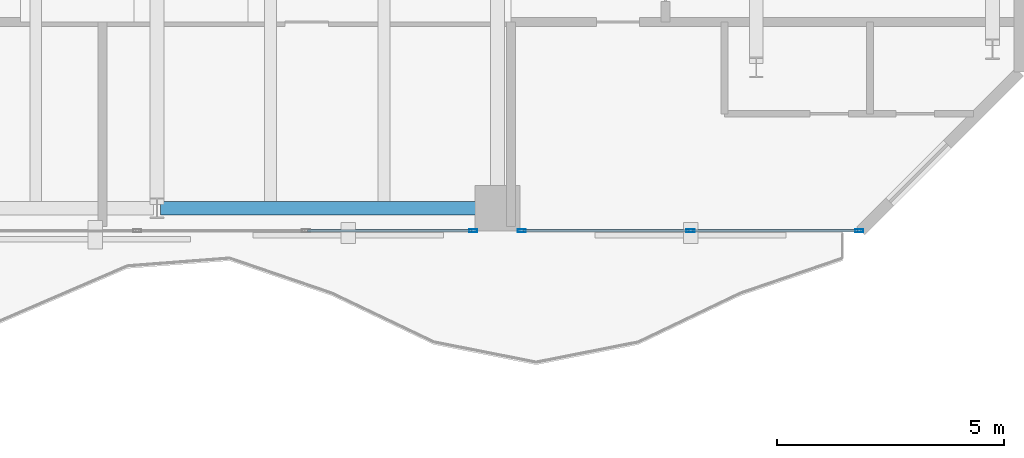
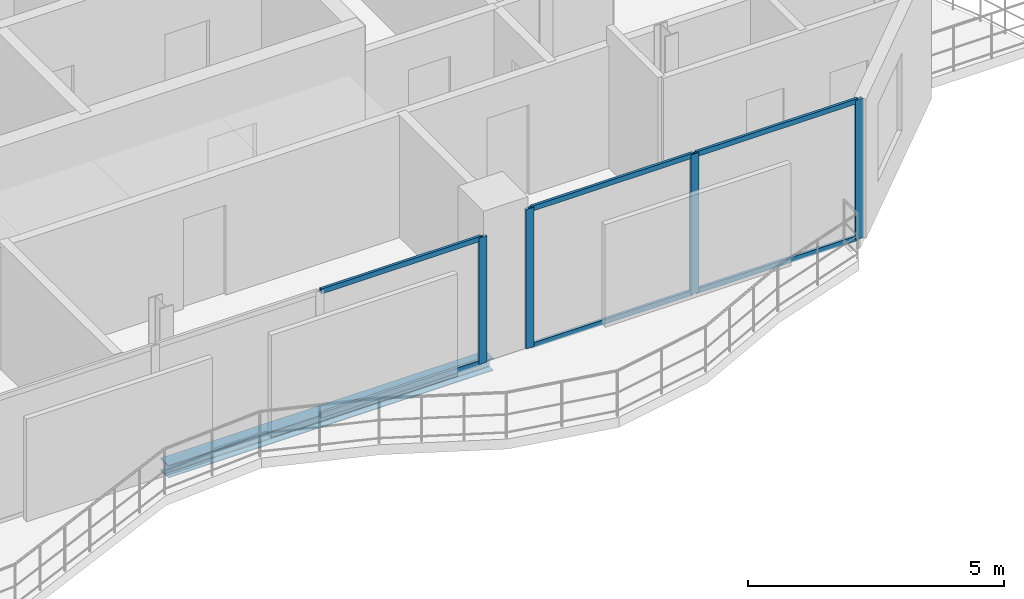
# One storey, part 12 of 23: 10 members, 1 beam, 2 elements without a shape of their own.
"""IFC4 building model written with IfcOpenShell, lengths in metres."""

import ifcopenshell
import ifcopenshell.guid

model = None  # the IFC model being written
_history = None  # IfcOwnerHistory: only IFC2X3 demands one
_inside = {}  # id of a spatial element -> (the spatial element, [elements in it])
_under = {}  # id of a project, library or spatial element -> (it, [spatial elements below it])
_declared = {}  # id of a project -> (the project, [libraries it declares])
_typed = {}  # id of a type object -> (the type object, [elements of that type])
_made_of = {}  # id of a material, layer set ... -> (it, [elements and type objects made of it])


def new_model(schema):
    """Start an empty IFC model of exactly this schema.

    Asked for "IFC4X3", IfcOpenShell would pick the latest addendum, in which some entities
    have other attributes; the version numbers below select the first issue.
    IFC2X3 requires an IfcOwnerHistory on every rooted entity: one is made here for all.
    """
    global model, _history
    if schema == "IFC4X3":
        model = ifcopenshell.file(schema_version=(4, 3, 0, 0))
    else:
        model = ifcopenshell.file(schema=schema)
    _inside.clear()
    _under.clear()
    _declared.clear()
    _typed.clear()
    _made_of.clear()
    _history = None
    if model.schema == "IFC2X3":
        org = make("IfcOrganization", Name="unknown")
        user = make(
            "IfcPersonAndOrganization",
            ThePerson=make("IfcPerson", FamilyName="unknown"),
            TheOrganization=org,
        )
        app = make(
            "IfcApplication",
            ApplicationDeveloper=org,
            Version="unknown",
            ApplicationFullName="unknown",
            ApplicationIdentifier="unknown",
        )
        _history = make(
            "IfcOwnerHistory",
            OwningUser=user,
            OwningApplication=app,
            ChangeAction="ADDED",
            CreationDate=0,
        )
    return model


def make(cls, **values):
    """One entity of the class cls with the attributes given. An attribute that is None is left unset."""
    return model.create_entity(
        cls, **{name: value for name, value in values.items() if value is not None}
    )


def rooted(cls, **values):
    """An entity with a GlobalId (a new one), such as an element, a storey or a relation."""
    return make(cls, GlobalId=ifcopenshell.guid.new(), OwnerHistory=_history, **values)


def si_unit(unit_type, name, prefix=None):
    """IfcSIUnit, for example si_unit("LENGTHUNIT", "METRE", prefix="MILLI")."""
    return make("IfcSIUnit", UnitType=unit_type, Prefix=prefix, Name=name)


def assignment(units):
    """IfcUnitAssignment: the units of a project."""
    return None if units is None else make("IfcUnitAssignment", Units=units)


def point(xyz):
    """IfcCartesianPoint."""
    return None if xyz is None else make("IfcCartesianPoint", Coordinates=xyz)


def direction(xyz):
    """IfcDirection."""
    return None if xyz is None else make("IfcDirection", DirectionRatios=xyz)


def frame(location, z_axis=None, x_axis=None):
    """IfcAxis2Placement3D, a coordinate frame: its origin and axes. An axis left out is left unset."""
    return make(
        "IfcAxis2Placement3D",
        Location=point(location),
        Axis=direction(z_axis),
        RefDirection=direction(x_axis),
    )


def frame_2d(location, x_axis=None):
    """IfcAxis2Placement2D, a coordinate frame in the plane: its origin and x axis."""
    return make(
        "IfcAxis2Placement2D", Location=point(location), RefDirection=direction(x_axis)
    )


def origin():
    """The frame at (0, 0, 0) with its axes left unset."""
    return frame((0.0, 0.0, 0.0))


def origin_2d():
    """The frame at (0, 0) in the plane with its x axis left unset."""
    return frame_2d((0.0, 0.0))


def place(relative_to, where):
    """IfcLocalPlacement: puts the frame where relative to a parent placement (None: the world)."""
    return make(
        "IfcLocalPlacement", PlacementRelTo=relative_to, RelativePlacement=where
    )


def context(
    kind, dimensions, precision=None, world=None, true_north=None, identifier=None
):
    """IfcGeometricRepresentationContext, for example the 3D "Model" context."""
    return make(
        "IfcGeometricRepresentationContext",
        ContextIdentifier=identifier,
        ContextType=kind,
        CoordinateSpaceDimension=dimensions,
        Precision=precision,
        WorldCoordinateSystem=world,
        TrueNorth=true_north,
    )


def subcontext(parent, identifier, kind, view, scale=None):
    """IfcGeometricRepresentationSubContext, for example "Body" below "Model"."""
    return make(
        "IfcGeometricRepresentationSubContext",
        ContextIdentifier=identifier,
        ContextType=kind,
        ParentContext=parent,
        TargetScale=scale,
        TargetView=view,
    )


def project(units=None, contexts=None):
    """IfcProject with its units and contexts."""
    return rooted(
        "IfcProject",
        Name="project",
        RepresentationContexts=contexts,
        UnitsInContext=assignment(units),
    )


def spatial(cls, under=None, at=None, **own):
    """A site, building, storey or space (cls), placed at a placement, below another one or the project."""
    s = rooted(cls, ObjectPlacement=at, **own)
    if under is not None:
        _under.setdefault(under.id(), (under, []))[1].append(s)
    return s


def profile(cls, at=None, kind="AREA", **sizes):
    """A parametric profile (cls). Its sizes go by their IFC names, for example OverallWidth=200.0."""
    return make(cls, ProfileType=kind, Position=at, **sizes)


def hollow_rectangle(**sizes):
    """IfcRectangleHollowProfileDef."""
    return profile("IfcRectangleHollowProfileDef", **sizes)


def i_section(**sizes):
    """IfcIShapeProfileDef."""
    return profile("IfcIShapeProfileDef", **sizes)


def extrude(swept, where, along, depth):
    """IfcExtrudedAreaSolid: the profile swept, set in the frame where, extruded along a direction by depth."""
    return make(
        "IfcExtrudedAreaSolid",
        SweptArea=swept,
        Position=where,
        ExtrudedDirection=direction(along),
        Depth=depth,
    )


def shape(context_of_items, identifier, shape_type, items):
    """IfcShapeRepresentation: the items that make up one representation, for example the "Body"."""
    return make(
        "IfcShapeRepresentation",
        ContextOfItems=context_of_items,
        RepresentationIdentifier=identifier,
        RepresentationType=shape_type,
        Items=items,
    )


def material(Name=None, Category=None):
    """IfcMaterial."""
    return make("IfcMaterial", Name=Name, Category=Category)


def layer(
    of_material, thickness, ventilated=None, Name=None, Category=None, Priority=None
):
    """IfcMaterialLayer: one layer of a wall or slab, of a material (None: an air gap)."""
    return make(
        "IfcMaterialLayer",
        Material=of_material,
        LayerThickness=thickness,
        IsVentilated=ventilated,
        Name=Name,
        Category=Category,
        Priority=Priority,
    )


def layer_set(layers, Name=None):
    """IfcMaterialLayerSet."""
    return make("IfcMaterialLayerSet", MaterialLayers=layers, LayerSetName=Name)


def material_profile(
    of_material, cross_section, Name=None, Category=None, Priority=None
):
    """IfcMaterialProfile: a cross section and its material."""
    return make(
        "IfcMaterialProfile",
        Name=Name,
        Material=of_material,
        Profile=cross_section,
        Priority=Priority,
        Category=Category,
    )


def profile_set(profiles, Name=None, composite=None):
    """IfcMaterialProfileSet."""
    return make(
        "IfcMaterialProfileSet",
        Name=Name,
        MaterialProfiles=profiles,
        CompositeProfile=composite,
    )


def made_of(thing, what):
    """Note that an element or type object is made of a material, layer set ...; save() writes the relation."""
    if what is not None:
        _made_of.setdefault(what.id(), (what, []))[1].append(thing)
    return thing


def type_object(cls, material=None, **own):
    """A type object (cls), such as IfcWallType, which elements share."""
    return made_of(rooted(cls, **own), material)


def element(
    cls,
    number,
    at=None,
    inside=None,
    cuts=None,
    type_object=None,
    material=None,
    context=None,
    identifier="Body",
    shape_type=None,
    held_by="IfcProductDefinitionShape",
    body=None,
    shapes=None,
    **own,
):
    """One element of the class cls, such as IfcWall. Its Tag is "e" and its number.

    at: its placement. inside: the storey or other place that contains it. cuts: it is an
    opening in that element (IfcRelVoidsElement). A single representation is given by context,
    identifier, shape_type and body (its items); several are given by shapes. held_by: the class
    of the entity that holds the representations. save() writes the other relations.
    """
    e = rooted(cls, Tag="e%d" % number, ObjectPlacement=at, **own)
    if body is not None:
        shapes = [shape(context, identifier, shape_type, body)]
    if shapes is not None:
        e.Representation = make(held_by, Representations=shapes)
    if inside is not None:
        _inside.setdefault(inside.id(), (inside, []))[1].append(e)
    if cuts is not None:
        rooted(
            "IfcRelVoidsElement", RelatingBuildingElement=cuts, RelatedOpeningElement=e
        )
    if type_object is not None:
        _typed.setdefault(type_object.id(), (type_object, []))[1].append(e)
    return made_of(e, material)


def aggregate(whole, parts):
    """IfcRelAggregates: a whole, such as a stair, and the parts it consists of."""
    return rooted("IfcRelAggregates", RelatingObject=whole, RelatedObjects=parts)


def save(model, path):
    """Write the relations noted so far, then the file.

    IfcRelAggregates (storeys below a building ...), IfcRelContainedInSpatialStructure (elements
    in a storey), IfcRelDefinesByType, IfcRelAssociatesMaterial and IfcRelDeclares: one each for
    every whole, place, type object, material and project.
    """
    for whole, parts in _under.values():
        aggregate(whole, parts)
    for where, things in _inside.values():
        rooted(
            "IfcRelContainedInSpatialStructure",
            RelatedElements=things,
            RelatingStructure=where,
        )
    for kind, things in _typed.values():
        rooted("IfcRelDefinesByType", RelatedObjects=things, RelatingType=kind)
    for what, things in _made_of.values():
        rooted("IfcRelAssociatesMaterial", RelatedObjects=things, RelatingMaterial=what)
    for by, libraries in _declared.values():
        rooted("IfcRelDeclares", RelatingContext=by, RelatedDefinitions=libraries)
    model.write(path)


model = new_model("IFC4")

# Units and contexts
model_context = context("Model", 3, precision=1e-05, world=origin(), true_north=direction((0.0, 1.0)))
body_context = subcontext(model_context, "Body", "Model", "MODEL_VIEW")
ifc_project = project(units=[si_unit("LENGTHUNIT", "METRE"), si_unit("AREAUNIT", "SQUARE_METRE"), si_unit("VOLUMEUNIT", "CUBIC_METRE"), si_unit("PLANEANGLEUNIT", "RADIAN"), si_unit("MASSUNIT", "GRAM", prefix="KILO")], contexts=[model_context])

# Site, building, storey
site_placement = place(None, origin())
site = spatial("IfcSite", under=ifc_project, at=site_placement, CompositionType="ELEMENT")
building_placement = place(site_placement, origin())
building = spatial("IfcBuilding", under=site, at=building_placement, Name="Catumbela Crestline Tower", CompositionType="ELEMENT")
storey_placement = place(building_placement, frame((0.0, 0.0, 197.4)))
storey = spatial("IfcBuildingStorey", under=building, at=storey_placement, Name="L51", CompositionType="ELEMENT", Elevation=197.4)

# Curtain wall, member
ifc_material_1 = material(Name="Aluminium alloy AW-6060-T66", Category="aluminium")
ifc_layer = layer(ifc_material_1, 0.18, Name="Aluminium alloy AW-6060-T66")
ifc_layer_set = layer_set([ifc_layer], Name="Aluminium alloy AW-6060-T66")
curtain_wall_type = type_object("IfcCurtainWallType", Name="CWU-Z3", PredefinedType="USERDEFINED", material=ifc_layer_set)
curtain_wall_1_placement = place(storey_placement, origin())
curtain_wall_1 = element("IfcCurtainWall", 1, at=curtain_wall_1_placement, inside=storey, type_object=curtain_wall_type, Name="L51 Unitised Curtain Wall CW-L51-E3S2", ObjectType="UNITISED", PredefinedType="USERDEFINED")
ifc_material_profile_1 = material_profile(ifc_material_1, hollow_rectangle(XDim=0.065, YDim=0.18, WallThickness=0.004, at=origin_2d()), Name="ALU 180x65x4")
ifc_profile_set_1 = profile_set([ifc_material_profile_1], Name="Aluminium alloy AW-6060-T66")
member_type_1 = type_object("IfcMemberType", Name="MUL-180X65", PredefinedType="MULLION", material=ifc_profile_set_1)
member_1_placement = place(storey_placement, frame((38.9675, 24.0, 0.0), z_axis=(0.0, 0.0, 1.0), x_axis=(0.0, 1.0, 0.0)))
member_1 = element("IfcMember", 2, at=member_1_placement, type_object=member_type_1, Name="CWU-Z3 mullion 4", PredefinedType="MULLION", context=body_context, shape_type="SweptSolid", body=[
    extrude(hollow_rectangle(XDim=0.065, YDim=0.18, WallThickness=0.004, at=origin_2d()), origin(), (0.0, 0.0, 1.0), 3.02),
])

# Curtain wall, members
curtain_wall_2_placement = place(storey_placement, origin())
curtain_wall_2 = element("IfcCurtainWall", 3, at=curtain_wall_2_placement, inside=storey, type_object=curtain_wall_type, Name="L51 Unitised Curtain Wall CW-L51-E3S3", ObjectType="UNITISED", PredefinedType="USERDEFINED")
member_2_placement = place(storey_placement, frame((40.0325, 24.0, 0.0), z_axis=(0.0, 0.0, 1.0), x_axis=(0.0, 1.0, 0.0)))
member_2 = element("IfcMember", 4, at=member_2_placement, type_object=member_type_1, Name="CWU-Z3 mullion 1", PredefinedType="MULLION", context=body_context, shape_type="SweptSolid", body=[
    extrude(hollow_rectangle(XDim=0.065, YDim=0.18, WallThickness=0.004, at=origin_2d()), origin(), (0.0, 0.0, 1.0), 3.33),
])
member_3_placement = place(storey_placement, frame((43.75, 24.0, 0.0), z_axis=(0.0, 0.0, 1.0), x_axis=(0.0, 1.0, 0.0)))
member_3 = element("IfcMember", 5, at=member_3_placement, type_object=member_type_1, Name="CWU-Z3 mullion 2", PredefinedType="MULLION", context=body_context, shape_type="SweptSolid", body=[
    extrude(hollow_rectangle(XDim=0.065, YDim=0.18, WallThickness=0.004, at=origin_2d()), origin(), (0.0, 0.0, 1.0), 3.33),
])
member_4_placement = place(storey_placement, frame((47.4675, 24.0, 0.0), z_axis=(0.0, 0.0, 1.0), x_axis=(0.0, 1.0, 0.0)))
member_4 = element("IfcMember", 6, at=member_4_placement, type_object=member_type_1, Name="CWU-Z3 mullion 3", PredefinedType="MULLION", context=body_context, shape_type="SweptSolid", body=[
    extrude(hollow_rectangle(XDim=0.065, YDim=0.18, WallThickness=0.004, at=origin_2d()), origin(), (0.0, 0.0, 1.0), 3.33),
])

# Beam
ifc_material_2 = material(Name="Structural steel S355J2", Category="steel")
ifc_material_profile_2 = material_profile(ifc_material_2, i_section(OverallWidth=0.3, OverallDepth=0.3, WebThickness=0.011, FlangeThickness=0.019, FilletRadius=0.027, at=origin_2d()), Name="HEB 300")
ifc_profile_set_2 = profile_set([ifc_material_profile_2], Name="Structural steel S355J2")
beam_type = type_object("IfcBeamType", Name="BS-HEB300", PredefinedType="SPANDREL", material=ifc_profile_set_2)
beam_placement = place(storey_placement, frame((32.08, 24.5, -0.41), z_axis=(1.0, 0.0, 0.0), x_axis=(0.0, 1.0, 0.0)))
element("IfcBeam", 7, at=beam_placement, inside=storey, type_object=beam_type, Name="L51 Spandrel SP-L51-S05", PredefinedType="SPANDREL", context=body_context, shape_type="SweptSolid", body=[
    extrude(i_section(OverallWidth=0.3, OverallDepth=0.3, WebThickness=0.011, FlangeThickness=0.019, FilletRadius=0.027, at=origin_2d()), origin(), (0.0, 0.0, 1.0), 7.34),
])

# Member
ifc_material_profile_3 = material_profile(ifc_material_1, hollow_rectangle(XDim=0.06, YDim=0.12, WallThickness=0.0035, at=origin_2d()), Name="ALU 120x60x3.5")
ifc_profile_set_3 = profile_set([ifc_material_profile_3], Name="Aluminium alloy AW-6060-T66")
member_type_2 = type_object("IfcMemberType", Name="TRN-120X60", PredefinedType="USERDEFINED", material=ifc_profile_set_3)
member_5_placement = place(storey_placement, frame((35.3158, 24.0, 0.03), z_axis=(1.0, 0.0, 0.0), x_axis=(0.0, 1.0, 0.0)))
member_5 = element("IfcMember", 8, at=member_5_placement, type_object=member_type_2, Name="CWU-Z3 transom 3.1", ObjectType="TRANSOM", PredefinedType="USERDEFINED", context=body_context, shape_type="SweptSolid", body=[
    extrude(hollow_rectangle(XDim=0.06, YDim=0.12, WallThickness=0.0035, at=origin_2d()), origin(), (0.0, 0.0, 1.0), 3.6192),
])

member_6_placement = place(storey_placement, frame((35.3158, 24.0, 2.99), z_axis=(1.0, 0.0, 0.0), x_axis=(0.0, 1.0, 0.0)))
member_6 = element("IfcMember", 9, at=member_6_placement, type_object=member_type_2, Name="CWU-Z3 transom 3.2", ObjectType="TRANSOM", PredefinedType="USERDEFINED", context=body_context, shape_type="SweptSolid", body=[
    extrude(hollow_rectangle(XDim=0.06, YDim=0.12, WallThickness=0.0035, at=origin_2d()), origin(), (0.0, 0.0, 1.0), 3.6192),
])

aggregate(curtain_wall_1, [member_1, member_5, member_6])

member_7_placement = place(storey_placement, frame((40.065, 24.0, 0.03), z_axis=(1.0, 0.0, 0.0), x_axis=(0.0, 1.0, 0.0)))
member_7 = element("IfcMember", 10, at=member_7_placement, type_object=member_type_2, Name="CWU-Z3 transom 1.1", ObjectType="TRANSOM", PredefinedType="USERDEFINED", context=body_context, shape_type="SweptSolid", body=[
    extrude(hollow_rectangle(XDim=0.06, YDim=0.12, WallThickness=0.0035, at=origin_2d()), origin(), (0.0, 0.0, 1.0), 3.6525),
])

member_8_placement = place(storey_placement, frame((40.065, 24.0, 3.3), z_axis=(1.0, 0.0, 0.0), x_axis=(0.0, 1.0, 0.0)))
member_8 = element("IfcMember", 11, at=member_8_placement, type_object=member_type_2, Name="CWU-Z3 transom 1.2", ObjectType="TRANSOM", PredefinedType="USERDEFINED", context=body_context, shape_type="SweptSolid", body=[
    extrude(hollow_rectangle(XDim=0.06, YDim=0.12, WallThickness=0.0035, at=origin_2d()), origin(), (0.0, 0.0, 1.0), 3.6525),
])

member_9_placement = place(storey_placement, frame((43.7825, 24.0, 0.03), z_axis=(1.0, 0.0, 0.0), x_axis=(0.0, 1.0, 0.0)))
member_9 = element("IfcMember", 12, at=member_9_placement, type_object=member_type_2, Name="CWU-Z3 transom 2.1", ObjectType="TRANSOM", PredefinedType="USERDEFINED", context=body_context, shape_type="SweptSolid", body=[
    extrude(hollow_rectangle(XDim=0.06, YDim=0.12, WallThickness=0.0035, at=origin_2d()), origin(), (0.0, 0.0, 1.0), 3.6525),
])

member_10_placement = place(storey_placement, frame((43.7825, 24.0, 3.3), z_axis=(1.0, 0.0, 0.0), x_axis=(0.0, 1.0, 0.0)))
member_10 = element("IfcMember", 13, at=member_10_placement, type_object=member_type_2, Name="CWU-Z3 transom 2.2", ObjectType="TRANSOM", PredefinedType="USERDEFINED", context=body_context, shape_type="SweptSolid", body=[
    extrude(hollow_rectangle(XDim=0.06, YDim=0.12, WallThickness=0.0035, at=origin_2d()), origin(), (0.0, 0.0, 1.0), 3.6525),
])

aggregate(curtain_wall_2, [member_2, member_3, member_4, member_7, member_8, member_9, member_10])

save(model, "model.ifc")
